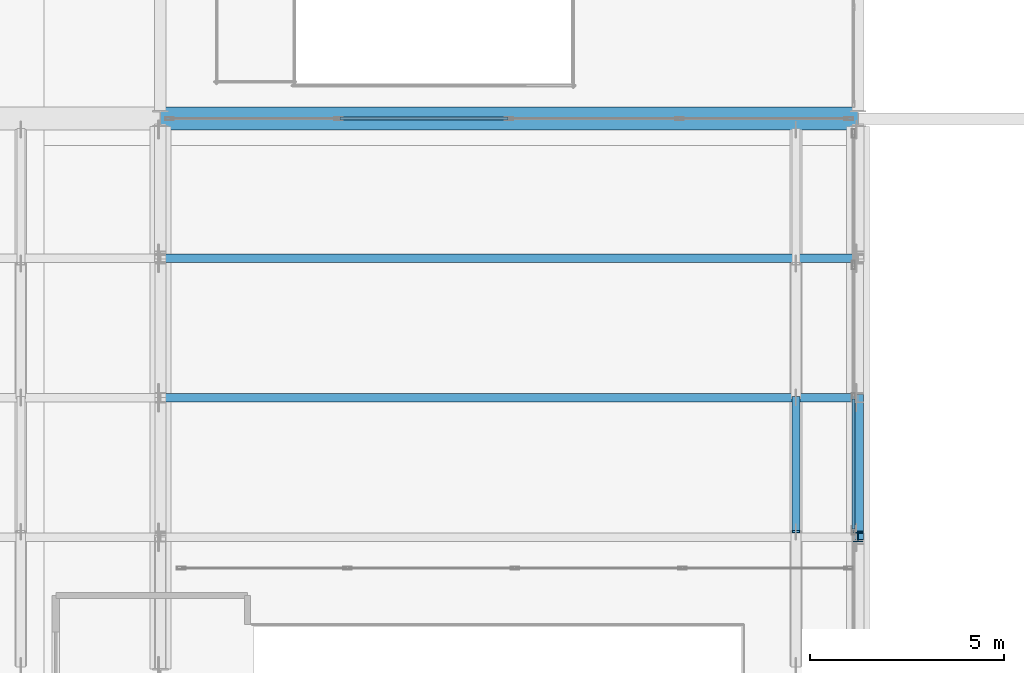
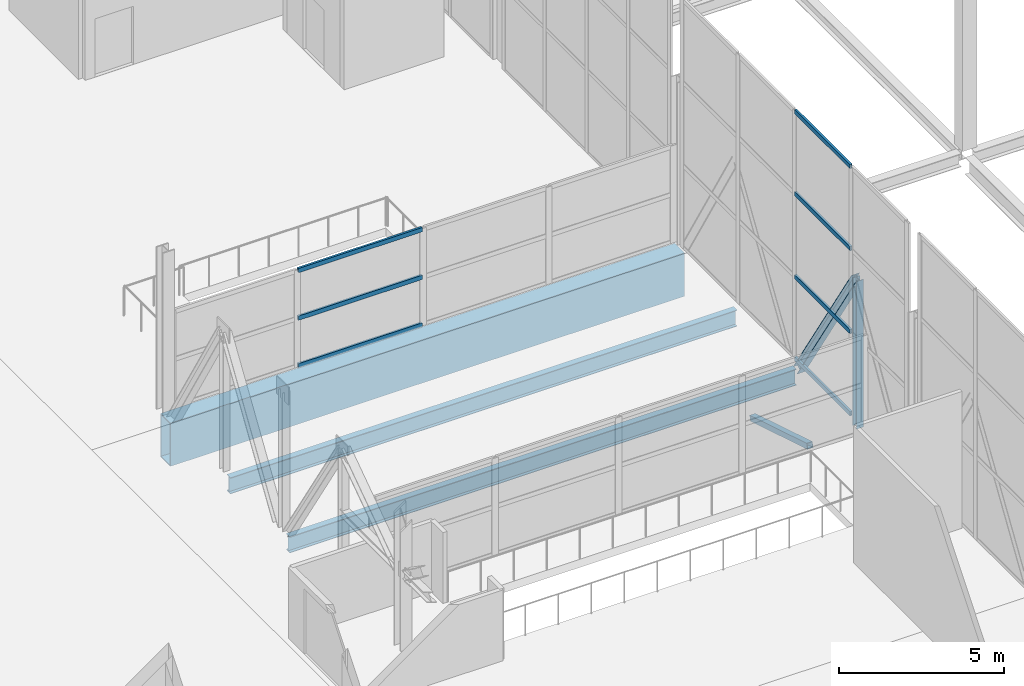
# One storey, part 108 of 191: 10 members, 3 beams, 2 elements without a shape of their own.
"""IFC4 building model written with IfcOpenShell, lengths in metres."""

from ifc_helpers import new_model, si_unit, direction, frame, origin, origin_2d, place, context, subcontext, project, spatial, hollow_rectangle, i_section, extrude, material, layer, layer_set, material_profile, profile_set, type_object, element, aggregate, save


model = new_model("IFC4")

# Units and contexts
model_context = context("Model", 3, precision=1e-05, world=origin(), true_north=direction((0.0, 1.0)))
body_context = subcontext(model_context, "Body", "Model", "MODEL_VIEW")
ifc_project = project(units=[si_unit("LENGTHUNIT", "METRE"), si_unit("AREAUNIT", "SQUARE_METRE"), si_unit("VOLUMEUNIT", "CUBIC_METRE"), si_unit("PLANEANGLEUNIT", "RADIAN"), si_unit("MASSUNIT", "GRAM", prefix="KILO")], contexts=[model_context])

# Site, building, storey
site_placement = place(None, origin())
site = spatial("IfcSite", under=ifc_project, at=site_placement, CompositionType="ELEMENT")
building_placement = place(site_placement, origin())
building = spatial("IfcBuilding", under=site, at=building_placement, Name="Tamarisk Ironworks Central Station", CompositionType="ELEMENT")
storey_placement = place(building_placement, frame((0.0, 0.0, 6.60009765625)))
storey = spatial("IfcBuildingStorey", under=building, at=storey_placement, Name="L01", CompositionType="ELEMENT", Elevation=6.60009765625)

# Beams
ifc_material_1 = material(Name="Structural steel S355J2", Category="steel")
ifc_material_profile_1 = material_profile(ifc_material_1, i_section(OverallWidth=0.219970703125, OverallDepth=0.60009765625, WebThickness=0.011962890625, FlangeThickness=0.01904296875, at=origin_2d()), Name="IPE 600")
ifc_profile_set_1 = profile_set([ifc_material_profile_1], Name="Structural steel S355J2")
beam_type_1 = type_object("IfcBeamType", Name="BM-B01", PredefinedType="BEAM", material=ifc_profile_set_1)
for number, where, z_axis, x_axis, name in (
    (1, (90.135009765625, 72.0, -0.60009765625), (1.0, 0.0, 0.0), (0.0, 1.0, 0.0), "L01 secondary composite beam 0042"),
    (2, (90.135009765625, 75.60009765625, -0.60009765625), (1.0, 0.0, 0.0), (0.0, 1.0, 0.0), "L01 secondary composite beam 0043"),
):
    element("IfcBeam", number, at=place(storey_placement, frame(where, z_axis=z_axis, x_axis=x_axis)), inside=storey, type_object=beam_type_1, Name=name, PredefinedType="BEAM", context=body_context, shape_type="SweptSolid", body=[
        extrude(i_section(OverallWidth=0.219970703125, OverallDepth=0.60009765625, WebThickness=0.011962890625, FlangeThickness=0.01904296875, at=origin_2d()), origin(), (0.0, 0.0, 1.0), 17.72998046875),
    ])
ifc_material_profile_2 = material_profile(ifc_material_1, hollow_rectangle(XDim=0.60009765625, YDim=1.60009765625, WallThickness=0.031982421875, at=origin_2d()), Name="BOX 600x1600x32")
ifc_profile_set_2 = profile_set([ifc_material_profile_2], Name="Structural steel S355J2")
beam_type_2 = type_object("IfcBeamType", Name="BM-TG01", PredefinedType="USERDEFINED", material=ifc_profile_set_2)
beam_placement = place(storey_placement, frame((90.00390625, 79.199951171875, -1.10009765625), z_axis=(1.0, 0.0, 0.0), x_axis=(0.0, 1.0, 0.0)))
element("IfcBeam", 3, at=beam_placement, inside=storey, type_object=beam_type_2, Name="L01 primary girder X-0086", ObjectType="TRANSFER GIRDER", PredefinedType="USERDEFINED", context=body_context, shape_type="SweptSolid", body=[
    extrude(hollow_rectangle(XDim=0.60009765625, YDim=1.60009765625, WallThickness=0.031982421875, at=origin_2d()), origin(), (0.0, 0.0, 1.0), 17.9921875),
])

# Curtain wall, members
ifc_material_2 = material(Name="Anodized aluminium alloy 6063-T6", Category="aluminium")
ifc_layer_1 = layer(ifc_material_2, 0.179931640625)
ifc_layer_set_1 = layer_set([ifc_layer_1], Name="Anodized aluminium alloy 6063-T6")
curtain_wall_type_1 = type_object("IfcCurtainWallType", Name="CW-06", PredefinedType="USERDEFINED", material=ifc_layer_set_1)
curtain_wall_1_placement = place(storey_placement, origin())
curtain_wall_1 = element("IfcCurtainWall", 4, at=curtain_wall_1_placement, inside=storey, type_object=curtain_wall_type_1, Name="Concourse E track-overlook curtain wall 05", ObjectType="GLAZED CURTAIN WALL", PredefinedType="USERDEFINED")
ifc_material_profile_3 = material_profile(ifc_material_2, hollow_rectangle(XDim=0.074951171875, YDim=0.159912109375, WallThickness=0.00390625, at=origin_2d()), Name="ALUM 160x75")
ifc_profile_set_3 = profile_set([ifc_material_profile_3], Name="Anodized aluminium alloy 6063-T6")
member_type_1 = type_object("IfcMemberType", Name="CWT-01", PredefinedType="USERDEFINED", material=ifc_profile_set_3)
member_1_placement = place(storey_placement, frame((107.8798828125, 68.6083984375, 0.037353515625), z_axis=(0.0, 1.0, 0.0), x_axis=(-1.0, 0.0, 0.0)))
member_1 = element("IfcMember", 5, at=member_1_placement, type_object=member_type_1, Name="CW06 transom 2.1", ObjectType="TRANSOM", PredefinedType="USERDEFINED", context=body_context, shape_type="SweptSolid", body=[
    extrude(hollow_rectangle(XDim=0.074951171875, YDim=0.159912109375, WallThickness=0.00390625, at=origin_2d()), origin(), (0.0, 0.0, 1.0), 3.358154296875),
])
member_2_placement = place(storey_placement, frame((107.8798828125, 68.6083984375, 3.0732421875), z_axis=(0.0, 1.0, 0.0), x_axis=(-1.0, 0.0, 0.0)))
member_2 = element("IfcMember", 6, at=member_2_placement, type_object=member_type_1, Name="CW06 transom 2.2", ObjectType="TRANSOM", PredefinedType="USERDEFINED", context=body_context, shape_type="SweptSolid", body=[
    extrude(hollow_rectangle(XDim=0.074951171875, YDim=0.159912109375, WallThickness=0.00390625, at=origin_2d()), origin(), (0.0, 0.0, 1.0), 3.358154296875),
])
member_3_placement = place(storey_placement, frame((107.8798828125, 68.6083984375, 6.146484375), z_axis=(0.0, 1.0, 0.0), x_axis=(-1.0, 0.0, 0.0)))
member_3 = element("IfcMember", 7, at=member_3_placement, type_object=member_type_1, Name="CW06 transom 2.3", ObjectType="TRANSOM", PredefinedType="USERDEFINED", context=body_context, shape_type="SweptSolid", body=[
    extrude(hollow_rectangle(XDim=0.074951171875, YDim=0.159912109375, WallThickness=0.00390625, at=origin_2d()), origin(), (0.0, 0.0, 1.0), 3.358154296875),
])
member_4_placement = place(storey_placement, frame((107.8798828125, 68.6083984375, 9.182373046875), z_axis=(0.0, 1.0, 0.0), x_axis=(-1.0, 0.0, 0.0)))
member_4 = element("IfcMember", 8, at=member_4_placement, type_object=member_type_1, Name="CW06 transom 2.4", ObjectType="TRANSOM", PredefinedType="USERDEFINED", context=body_context, shape_type="SweptSolid", body=[
    extrude(hollow_rectangle(XDim=0.074951171875, YDim=0.159912109375, WallThickness=0.00390625, at=origin_2d()), origin(), (0.0, 0.0, 1.0), 3.358154296875),
])
aggregate(curtain_wall_1, [member_1, member_2, member_3, member_4])

ifc_layer_2 = layer(ifc_material_2, 0.179931640625)
ifc_layer_set_2 = layer_set([ifc_layer_2], Name="Anodized aluminium alloy 6063-T6")
curtain_wall_type_2 = type_object("IfcCurtainWallType", Name="CW-24", PredefinedType="USERDEFINED", material=ifc_layer_set_2)
curtain_wall_2_placement = place(storey_placement, origin())
curtain_wall_2 = element("IfcCurtainWall", 9, at=curtain_wall_2_placement, inside=storey, type_object=curtain_wall_type_2, Name="North bridge east glazed acoustic screen", ObjectType="GLAZED CURTAIN WALL", PredefinedType="USERDEFINED")
member_5_placement = place(storey_placement, frame((94.634033203125, 79.199951171875, 0.037353515625), z_axis=(1.0, 0.0, 0.0), x_axis=(0.0, 1.0, 0.0)))
member_5 = element("IfcMember", 10, at=member_5_placement, type_object=member_type_1, Name="CW24 transom 2.1", ObjectType="TRANSOM", PredefinedType="USERDEFINED", context=body_context, shape_type="SweptSolid", body=[
    extrude(hollow_rectangle(XDim=0.074951171875, YDim=0.159912109375, WallThickness=0.00390625, at=origin_2d()), origin(), (0.0, 0.0, 1.0), 4.33251953125),
])
member_6_placement = place(storey_placement, frame((94.634033203125, 79.199951171875, 1.7998046875), z_axis=(1.0, 0.0, 0.0), x_axis=(0.0, 1.0, 0.0)))
member_6 = element("IfcMember", 11, at=member_6_placement, type_object=member_type_1, Name="CW24 transom 2.2", ObjectType="TRANSOM", PredefinedType="USERDEFINED", context=body_context, shape_type="SweptSolid", body=[
    extrude(hollow_rectangle(XDim=0.074951171875, YDim=0.159912109375, WallThickness=0.00390625, at=origin_2d()), origin(), (0.0, 0.0, 1.0), 4.33251953125),
])
member_7_placement = place(storey_placement, frame((94.634033203125, 79.199951171875, 3.5625), z_axis=(1.0, 0.0, 0.0), x_axis=(0.0, 1.0, 0.0)))
member_7 = element("IfcMember", 12, at=member_7_placement, type_object=member_type_1, Name="CW24 transom 2.3", ObjectType="TRANSOM", PredefinedType="USERDEFINED", context=body_context, shape_type="SweptSolid", body=[
    extrude(hollow_rectangle(XDim=0.074951171875, YDim=0.159912109375, WallThickness=0.00390625, at=origin_2d()), origin(), (0.0, 0.0, 1.0), 4.33251953125),
])
aggregate(curtain_wall_2, [member_5, member_6, member_7])

# Members
ifc_material_3 = material(Name="Structural steel S355J2H", Category="steel")
ifc_material_profile_4 = material_profile(ifc_material_3, hollow_rectangle(XDim=0.199951171875, YDim=0.199951171875, WallThickness=0.010009765625, at=origin_2d()), Name="SHS 200x200x10")
ifc_profile_set_4 = profile_set([ifc_material_profile_4], Name="Structural steel S355J2H")
member_type_2 = type_object("IfcMemberType", Name="MB-BR02", PredefinedType="BRACE", material=ifc_profile_set_4)
member_8_placement = place(storey_placement, frame((106.39990234375, 68.5400390625, -0.580078125), z_axis=(0.0, 0.956131332595, -0.292938346467), x_axis=(-1.0, 0.0, 0.0)))
element("IfcMember", 13, at=member_8_placement, inside=storey, type_object=member_type_2, Name="Bridge deck stiffening web brace 206", PredefinedType="BRACE", context=body_context, shape_type="SweptSolid", body=[
    extrude(hollow_rectangle(XDim=0.199951171875, YDim=0.199951171875, WallThickness=0.010009765625, at=origin_2d()), origin(), (0.0, 0.0, 1.0), 3.61865234375),
])
ifc_material_profile_5 = material_profile(ifc_material_1, i_section(OverallWidth=0.280029296875, OverallDepth=0.280029296875, WebThickness=0.010498046875, FlangeThickness=0.01806640625, at=origin_2d()), Name="HEB 280")
ifc_profile_set_5 = profile_set([ifc_material_profile_5], Name="Structural steel S355J2")
member_type_3 = type_object("IfcMemberType", Name="MB-TTD02", PredefinedType="BRACE", material=ifc_profile_set_5)
member_9_placement = place(storey_placement, frame((108.0, 68.43994140625, 5.119873046875), z_axis=(0.0, 0.539055818311, -0.842270042649), x_axis=(-1.0, 0.0, 0.0)))
element("IfcMember", 14, at=member_9_placement, inside=storey, type_object=member_type_3, Name="Transfer truss diagonal 107", PredefinedType="BRACE", context=body_context, shape_type="SweptSolid", body=[
    extrude(i_section(OverallWidth=0.280029296875, OverallDepth=0.280029296875, WebThickness=0.010498046875, FlangeThickness=0.01806640625, at=origin_2d()), origin(), (0.0, 0.0, 1.0), 6.530029296875),
])
ifc_material_profile_6 = material_profile(ifc_material_1, i_section(OverallWidth=0.239990234375, OverallDepth=0.239990234375, WebThickness=0.010009765625, FlangeThickness=0.01708984375, at=origin_2d()), Name="HEB 240")
ifc_profile_set_6 = profile_set([ifc_material_profile_6], Name="Structural steel S355J2")
member_type_4 = type_object("IfcMemberType", Name="MB-TTP02", PredefinedType="POST", material=ifc_profile_set_6)
member_10_placement = place(storey_placement, frame((108.0, 68.39990234375, -0.340087890625), z_axis=(0.0, 0.0, 1.0), x_axis=(1.0, 0.0, 0.0)))
element("IfcMember", 15, at=member_10_placement, inside=storey, type_object=member_type_4, Name="Transfer truss vertical post 108", PredefinedType="POST", context=body_context, shape_type="SweptSolid", body=[
    extrude(i_section(OverallWidth=0.239990234375, OverallDepth=0.239990234375, WebThickness=0.010009765625, FlangeThickness=0.01708984375, at=origin_2d()), origin(), (0.0, 0.0, 1.0), 5.4599609375),
])

save(model, "model.ifc")
